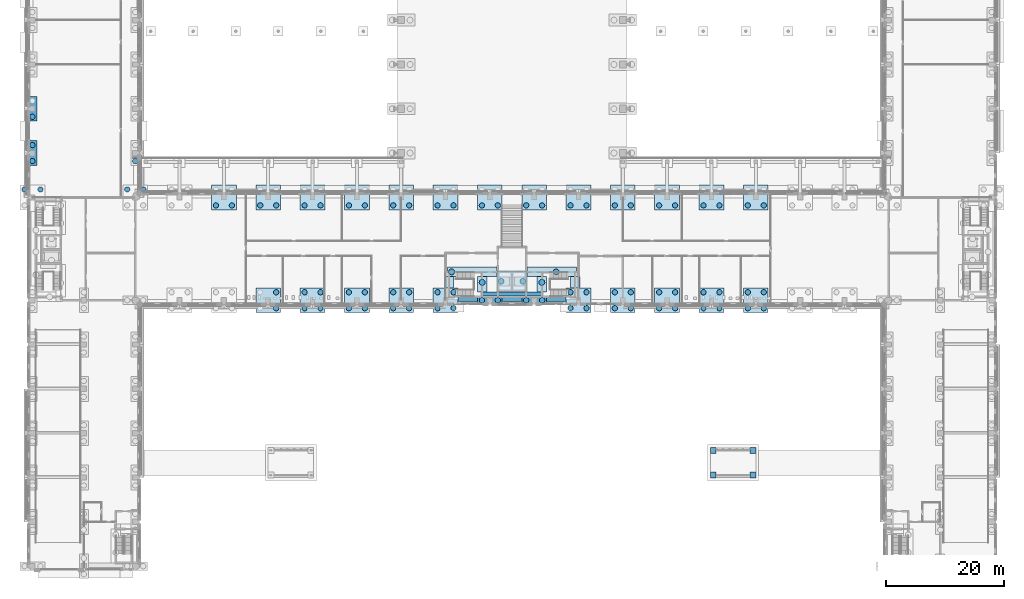
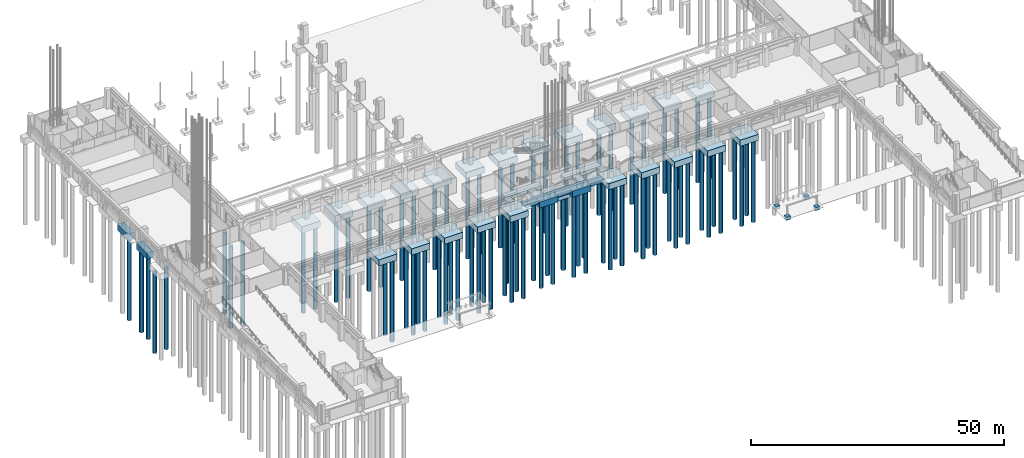
# One storey, part 2 of 99: 82 piles, 42 footings.
"""IFC4 building model written with IfcOpenShell, lengths in metres."""

from ifc_helpers import new_model, si_unit, direction, frame, origin, origin_2d, place, context, subcontext, project, spatial, polyline, circle, outline, extrude, material, layer, layer_set, material_profile, profile_set, type_object, element, save


model = new_model("IFC4")

# Units and contexts
model_context = context("Model", 3, precision=1e-05, world=origin(), true_north=direction((0.0, 1.0)))
body_context = subcontext(model_context, "Body", "Model", "MODEL_VIEW")
ifc_project = project(units=[si_unit("LENGTHUNIT", "METRE"), si_unit("AREAUNIT", "SQUARE_METRE"), si_unit("VOLUMEUNIT", "CUBIC_METRE"), si_unit("PLANEANGLEUNIT", "RADIAN"), si_unit("MASSUNIT", "GRAM", prefix="KILO")], contexts=[model_context])

# Site, building, storey
site_placement = place(None, origin())
site = spatial("IfcSite", under=ifc_project, at=site_placement, CompositionType="ELEMENT")
building_placement = place(site_placement, origin())
building = spatial("IfcBuilding", under=site, at=building_placement, Name="Cour d'Honneur Mobility Palace", CompositionType="ELEMENT")
storey_placement = place(building_placement, origin())
storey = spatial("IfcBuildingStorey", under=building, at=storey_placement, Name="L00", CompositionType="ELEMENT", Elevation=0.0)

# Piles
ifc_material_1 = material(Name="Concrete C40", Category="concrete")
ifc_material_profile_1 = material_profile(ifc_material_1, circle(Radius=0.5, at=origin_2d()), Name="Bored pile D1000")
ifc_profile_set_1 = profile_set([ifc_material_profile_1], Name="Concrete C40")
pile_type_1 = type_object("IfcPileType", Name="Bored pile D1000", PredefinedType="BORED", material=ifc_profile_set_1)
for number, where, z_axis, x_axis, name in (
    (1, (79.324951171875, 48.199951171875, -3.300048828125), (0.0, 0.0, -1.0), (1.0, 0.0, 0.0), "Bored pile CC.L.1"),
    (2, (82.97509765625, 48.199951171875, -3.300048828125), (0.0, 0.0, -1.0), (1.0, 0.0, 0.0), "Bored pile CC.L.2"),
):
    element("IfcPile", number, at=place(storey_placement, frame(where, z_axis=z_axis, x_axis=x_axis)), inside=storey, type_object=pile_type_1, Name=name, PredefinedType="BORED", context=body_context, shape_type="SweptSolid", body=[
        extrude(circle(Radius=0.5, at=origin_2d()), origin(), (0.0, 0.0, 1.0), 18.199951171875),
    ])
for number, where, z_axis, x_axis, name in (
    (3, (76.10009765625, 48.02490234375, -1.050048828125), (0.0, 0.0, -1.0), (1.0, 0.0, 0.0), "Bored pile S021.1"),
    (4, (86.199951171875, 48.02490234375, -1.050048828125), (0.0, 0.0, -1.0), (1.0, 0.0, 0.0), "Bored pile S022.1"),
    (5, (70.925048828125, 49.800048828125, -1.050048828125), (0.0, 0.0, -1.0), (1.0, 0.0, 0.0), "Bored pile S027.1"),
    (6, (88.625, 49.800048828125, -1.050048828125), (0.0, 0.0, -1.0), (1.0, 0.0, 0.0), "Bored pile S028.1"),
):
    element("IfcPile", number, at=place(storey_placement, frame(where, z_axis=z_axis, x_axis=x_axis)), inside=storey, type_object=pile_type_1, Name=name, PredefinedType="BORED", context=body_context, shape_type="SweptSolid", body=[
        extrude(circle(Radius=0.5, at=origin_2d()), origin(), (0.0, 0.0, 1.0), 20.449951171875),
    ])
ifc_material_2 = material(Name="Concrete C40", Category="concrete")
ifc_material_profile_2 = material_profile(ifc_material_2, circle(Radius=0.449951171875, at=origin_2d()), Name="Bored pile D900")
ifc_profile_set_2 = profile_set([ifc_material_profile_2], Name="Concrete C40")
pile_type_2 = type_object("IfcPileType", Name="Bored pile D900", PredefinedType="BORED", material=ifc_profile_set_2)
for number, where, z_axis, x_axis, name in (
    (7, (41.25, 43.64990234375, -1.75), (0.0, 0.0, -1.0), (1.0, 0.0, 0.0), "Bored pile L00.5/G.2"),
    (8, (41.25, 46.35009765625, -1.75), (0.0, 0.0, -1.0), (1.0, 0.0, 0.0), "Bored pile L00.5/G.4"),
    (9, (46.050048828125, 43.64990234375, -1.75), (0.0, 0.0, -1.0), (1.0, 0.0, 0.0), "Bored pile L00.6/G.1"),
    (10, (48.75, 43.64990234375, -1.75), (0.0, 0.0, -1.0), (1.0, 0.0, 0.0), "Bored pile L00.6/G.2"),
    (11, (46.050048828125, 46.35009765625, -1.75), (0.0, 0.0, -1.0), (1.0, 0.0, 0.0), "Bored pile L00.6/G.3"),
    (12, (48.75, 46.35009765625, -1.75), (0.0, 0.0, -1.0), (1.0, 0.0, 0.0), "Bored pile L00.6/G.4"),
    (13, (53.550048828125, 43.64990234375, -1.75), (0.0, 0.0, -1.0), (1.0, 0.0, 0.0), "Bored pile L00.7/G.1"),
    (14, (56.25, 43.64990234375, -1.75), (0.0, 0.0, -1.0), (1.0, 0.0, 0.0), "Bored pile L00.7/G.2"),
    (15, (53.550048828125, 46.35009765625, -1.75), (0.0, 0.0, -1.0), (1.0, 0.0, 0.0), "Bored pile L00.7/G.3"),
    (16, (56.25, 46.35009765625, -1.75), (0.0, 0.0, -1.0), (1.0, 0.0, 0.0), "Bored pile L00.7/G.4"),
    (17, (61.050048828125, 43.64990234375, -1.75), (0.0, 0.0, -1.0), (1.0, 0.0, 0.0), "Bored pile L00.8/G.1"),
    (18, (63.75, 43.64990234375, -1.75), (0.0, 0.0, -1.0), (1.0, 0.0, 0.0), "Bored pile L00.8/G.2"),
    (19, (61.050048828125, 46.35009765625, -1.75), (0.0, 0.0, -1.0), (1.0, 0.0, 0.0), "Bored pile L00.8/G.3"),
    (20, (63.75, 46.35009765625, -1.75), (0.0, 0.0, -1.0), (1.0, 0.0, 0.0), "Bored pile L00.8/G.4"),
    (21, (68.550048828125, 43.64990234375, -1.75), (0.0, 0.0, -1.0), (1.0, 0.0, 0.0), "Bored pile L00.9/G.1"),
    (22, (71.25, 43.64990234375, -1.75), (0.0, 0.0, -1.0), (1.0, 0.0, 0.0), "Bored pile L00.9/G.2"),
    (23, (68.550048828125, 46.35009765625, -1.75), (0.0, 0.0, -1.0), (1.0, 0.0, 0.0), "Bored pile L00.9/G.3"),
    (24, (71.25, 46.35009765625, -1.75), (0.0, 0.0, -1.0), (1.0, 0.0, 0.0), "Bored pile L00.9/G.4"),
    (25, (76.050048828125, 45.0, -1.75), (0.0, 0.0, -1.0), (1.0, 0.0, 0.0), "Bored pile L00.10/G.1"),
    (26, (78.75, 45.0, -1.75), (0.0, 0.0, -1.0), (1.0, 0.0, 0.0), "Bored pile L00.10/G.2"),
    (27, (83.550048828125, 45.0, -1.75), (0.0, 0.0, -1.0), (1.0, 0.0, 0.0), "Bored pile L00.11/G.1"),
    (28, (86.25, 45.0, -1.75), (0.0, 0.0, -1.0), (1.0, 0.0, 0.0), "Bored pile L00.11/G.2"),
    (29, (91.050048828125, 43.64990234375, -1.75), (0.0, 0.0, -1.0), (1.0, 0.0, 0.0), "Bored pile L00.12/G.1"),
    (30, (93.75, 43.64990234375, -1.75), (0.0, 0.0, -1.0), (1.0, 0.0, 0.0), "Bored pile L00.12/G.2"),
    (31, (91.050048828125, 46.35009765625, -1.75), (0.0, 0.0, -1.0), (1.0, 0.0, 0.0), "Bored pile L00.12/G.3"),
    (32, (93.75, 46.35009765625, -1.75), (0.0, 0.0, -1.0), (1.0, 0.0, 0.0), "Bored pile L00.12/G.4"),
    (33, (98.550048828125, 43.64990234375, -1.75), (0.0, 0.0, -1.0), (1.0, 0.0, 0.0), "Bored pile L00.13/G.1"),
    (34, (101.25, 43.64990234375, -1.75), (0.0, 0.0, -1.0), (1.0, 0.0, 0.0), "Bored pile L00.13/G.2"),
    (35, (98.550048828125, 46.35009765625, -1.75), (0.0, 0.0, -1.0), (1.0, 0.0, 0.0), "Bored pile L00.13/G.3"),
    (36, (101.25, 46.35009765625, -1.75), (0.0, 0.0, -1.0), (1.0, 0.0, 0.0), "Bored pile L00.13/G.4"),
    (37, (106.050048828125, 43.64990234375, -1.75), (0.0, 0.0, -1.0), (1.0, 0.0, 0.0), "Bored pile L00.14/G.1"),
    (38, (108.75, 43.64990234375, -1.75), (0.0, 0.0, -1.0), (1.0, 0.0, 0.0), "Bored pile L00.14/G.2"),
    (39, (106.050048828125, 46.35009765625, -1.75), (0.0, 0.0, -1.0), (1.0, 0.0, 0.0), "Bored pile L00.14/G.3"),
    (40, (108.75, 46.35009765625, -1.75), (0.0, 0.0, -1.0), (1.0, 0.0, 0.0), "Bored pile L00.14/G.4"),
    (41, (113.550048828125, 43.64990234375, -1.75), (0.0, 0.0, -1.0), (1.0, 0.0, 0.0), "Bored pile L00.15/G.1"),
    (42, (116.25, 43.64990234375, -1.75), (0.0, 0.0, -1.0), (1.0, 0.0, 0.0), "Bored pile L00.15/G.2"),
    (43, (113.550048828125, 46.35009765625, -1.75), (0.0, 0.0, -1.0), (1.0, 0.0, 0.0), "Bored pile L00.15/G.3"),
    (44, (116.25, 46.35009765625, -1.75), (0.0, 0.0, -1.0), (1.0, 0.0, 0.0), "Bored pile L00.15/G.4"),
    (45, (121.050048828125, 43.64990234375, -1.75), (0.0, 0.0, -1.0), (1.0, 0.0, 0.0), "Bored pile L00.16/G.1"),
    (46, (123.75, 43.64990234375, -1.75), (0.0, 0.0, -1.0), (1.0, 0.0, 0.0), "Bored pile L00.16/G.2"),
    (47, (121.050048828125, 46.35009765625, -1.75), (0.0, 0.0, -1.0), (1.0, 0.0, 0.0), "Bored pile L00.16/G.3"),
    (48, (123.75, 46.35009765625, -1.75), (0.0, 0.0, -1.0), (1.0, 0.0, 0.0), "Bored pile L00.16/G.4"),
    (49, (-1.35009765625, 63.75, -1.75), (0.0, 0.0, -1.0), (1.0, 0.0, 0.0), "Bored pile L00.1/H.3"),
    (50, (1.35009765625, 63.75, -1.75), (0.0, 0.0, -1.0), (1.0, 0.0, 0.0), "Bored pile L00.1/H.4"),
    (51, (16.050048828125, 63.75, -1.75), (0.0, 0.0, -1.0), (1.0, 0.0, 0.0), "Bored pile L00.2/H.3"),
    (52, (18.75, 63.75, -1.75), (0.0, 0.0, -1.0), (1.0, 0.0, 0.0), "Bored pile L00.2/H.4"),
    (53, (31.050048828125, 61.050048828125, -1.75), (0.0, 0.0, -1.0), (1.0, 0.0, 0.0), "Bored pile L00.4/H.1"),
    (54, (33.75, 61.050048828125, -1.75), (0.0, 0.0, -1.0), (1.0, 0.0, 0.0), "Bored pile L00.4/H.2"),
    (55, (38.550048828125, 61.050048828125, -1.75), (0.0, 0.0, -1.0), (1.0, 0.0, 0.0), "Bored pile L00.5/H.1"),
    (56, (41.25, 61.050048828125, -1.75), (0.0, 0.0, -1.0), (1.0, 0.0, 0.0), "Bored pile L00.5/H.2"),
    (57, (46.050048828125, 61.050048828125, -1.75), (0.0, 0.0, -1.0), (1.0, 0.0, 0.0), "Bored pile L00.6/H.1"),
    (58, (48.75, 61.050048828125, -1.75), (0.0, 0.0, -1.0), (1.0, 0.0, 0.0), "Bored pile L00.6/H.2"),
    (59, (53.550048828125, 61.050048828125, -1.75), (0.0, 0.0, -1.0), (1.0, 0.0, 0.0), "Bored pile L00.7/H.1"),
    (60, (56.25, 61.050048828125, -1.75), (0.0, 0.0, -1.0), (1.0, 0.0, 0.0), "Bored pile L00.7/H.2"),
    (61, (61.050048828125, 61.050048828125, -1.75), (0.0, 0.0, -1.0), (1.0, 0.0, 0.0), "Bored pile L00.8/H.1"),
    (62, (63.75, 61.050048828125, -1.75), (0.0, 0.0, -1.0), (1.0, 0.0, 0.0), "Bored pile L00.8/H.2"),
    (63, (68.550048828125, 61.050048828125, -1.75), (0.0, 0.0, -1.0), (1.0, 0.0, 0.0), "Bored pile L00.9/H.1"),
    (64, (71.25, 61.050048828125, -1.75), (0.0, 0.0, -1.0), (1.0, 0.0, 0.0), "Bored pile L00.9/H.2"),
    (65, (76.050048828125, 61.050048828125, -1.75), (0.0, 0.0, -1.0), (1.0, 0.0, 0.0), "Bored pile L00.10/H.1"),
    (66, (78.75, 61.050048828125, -1.75), (0.0, 0.0, -1.0), (1.0, 0.0, 0.0), "Bored pile L00.10/H.2"),
    (67, (83.550048828125, 61.050048828125, -1.75), (0.0, 0.0, -1.0), (1.0, 0.0, 0.0), "Bored pile L00.11/H.1"),
    (68, (86.25, 61.050048828125, -1.75), (0.0, 0.0, -1.0), (1.0, 0.0, 0.0), "Bored pile L00.11/H.2"),
    (69, (91.050048828125, 61.050048828125, -1.75), (0.0, 0.0, -1.0), (1.0, 0.0, 0.0), "Bored pile L00.12/H.1"),
    (70, (93.75, 61.050048828125, -1.75), (0.0, 0.0, -1.0), (1.0, 0.0, 0.0), "Bored pile L00.12/H.2"),
    (71, (98.550048828125, 61.050048828125, -1.75), (0.0, 0.0, -1.0), (1.0, 0.0, 0.0), "Bored pile L00.13/H.1"),
    (72, (101.25, 61.050048828125, -1.75), (0.0, 0.0, -1.0), (1.0, 0.0, 0.0), "Bored pile L00.13/H.2"),
    (73, (106.050048828125, 61.050048828125, -1.75), (0.0, 0.0, -1.0), (1.0, 0.0, 0.0), "Bored pile L00.14/H.1"),
    (74, (108.75, 61.050048828125, -1.75), (0.0, 0.0, -1.0), (1.0, 0.0, 0.0), "Bored pile L00.14/H.2"),
    (75, (113.550048828125, 61.050048828125, -1.75), (0.0, 0.0, -1.0), (1.0, 0.0, 0.0), "Bored pile L00.15/H.1"),
    (76, (116.25, 61.050048828125, -1.75), (0.0, 0.0, -1.0), (1.0, 0.0, 0.0), "Bored pile L00.15/H.2"),
    (77, (121.050048828125, 61.050048828125, -1.75), (0.0, 0.0, -1.0), (1.0, 0.0, 0.0), "Bored pile L00.16/H.1"),
    (78, (123.75, 61.050048828125, -1.75), (0.0, 0.0, -1.0), (1.0, 0.0, 0.0), "Bored pile L00.16/H.2"),
    (79, (0.0, 68.550048828125, -1.75), (0.0, 0.0, -1.0), (1.0, 0.0, 0.0), "Bored pile L00.1/J.1"),
    (80, (0.0, 71.25, -1.75), (0.0, 0.0, -1.0), (1.0, 0.0, 0.0), "Bored pile L00.1/J.2"),
    (81, (17.39990234375, 68.550048828125, -1.75), (0.0, 0.0, -1.0), (1.0, 0.0, 0.0), "Bored pile L00.2/J.1"),
    (82, (0.0, 76.050048828125, -1.75), (0.0, 0.0, -1.0), (1.0, 0.0, 0.0), "Bored pile L00.1/K.1"),
):
    element("IfcPile", number, at=place(storey_placement, frame(where, z_axis=z_axis, x_axis=x_axis)), inside=storey, type_object=pile_type_2, Name=name, PredefinedType="BORED", context=body_context, shape_type="SweptSolid", body=[
        extrude(circle(Radius=0.449951171875, at=origin_2d()), origin(), (0.0, 0.0, 1.0), 19.75),
    ])

# Footings
ifc_material_3 = material(Name="Concrete C40", Category="concrete")
ifc_layer_1 = layer(ifc_material_3, 1.5)
ifc_layer_set_1 = layer_set([ifc_layer_1], Name="Concrete C40")
footing_type_1 = type_object("IfcFootingType", Name="Pile cap PC2 4200x1500", PredefinedType="PILE_CAP", material=ifc_layer_set_1)
footing_1_placement = place(storey_placement, frame((0.0, 0.0, -1.75)))
element("IfcFooting", 83, at=footing_1_placement, inside=storey, type_object=footing_type_1, Name="Pile cap PC2-10/G", PredefinedType="PILE_CAP", context=body_context, shape_type="SweptSolid", body=[
    extrude(outline(polyline([(75.300048828125, 44.25), (79.5, 44.25), (79.5, 45.75), (75.300048828125, 45.75), (75.300048828125, 44.25)])), origin(), (0.0, 0.0, 1.0), 1.5),
])
footing_2_placement = place(storey_placement, frame((0.0, 0.0, -1.75)))
element("IfcFooting", 84, at=footing_2_placement, inside=storey, type_object=footing_type_1, Name="Pile cap PC2-11/G", PredefinedType="PILE_CAP", context=body_context, shape_type="SweptSolid", body=[
    extrude(outline(polyline([(82.800048828125, 44.25), (87.0, 44.25), (87.0, 45.75), (82.800048828125, 45.75), (82.800048828125, 44.25)])), origin(), (0.0, 0.0, 1.0), 1.5),
])
footing_3_placement = place(storey_placement, frame((0.0, 0.0, -1.75)))
element("IfcFooting", 85, at=footing_3_placement, inside=storey, type_object=footing_type_1, Name="Pile cap PC2-1/J", PredefinedType="PILE_CAP", context=body_context, shape_type="SweptSolid", body=[
    extrude(outline(polyline([(-0.75, 67.800048828125), (0.75, 67.800048828125), (0.75, 72.0), (-0.75, 72.0), (-0.75, 67.800048828125)])), origin(), (0.0, 0.0, 1.0), 1.5),
])
footing_4_placement = place(storey_placement, frame((0.0, 0.0, -1.75)))
element("IfcFooting", 86, at=footing_4_placement, inside=storey, type_object=footing_type_1, Name="Pile cap PC2-1/K", PredefinedType="PILE_CAP", context=body_context, shape_type="SweptSolid", body=[
    extrude(outline(polyline([(-0.75, 75.300048828125), (0.75, 75.300048828125), (0.75, 79.5), (-0.75, 79.5), (-0.75, 75.300048828125)])), origin(), (0.0, 0.0, 1.0), 1.5),
])
ifc_material_4 = material(Name="Concrete C40", Category="concrete")
ifc_layer_2 = layer(ifc_material_4, 1.5)
ifc_layer_set_2 = layer_set([ifc_layer_2], Name="Concrete C40")
footing_type_2 = type_object("IfcFootingType", Name="Pile cap PC4 4200x4200", PredefinedType="PILE_CAP", material=ifc_layer_set_2)
footing_5_placement = place(storey_placement, frame((0.0, 0.0, -1.75)))
element("IfcFooting", 87, at=footing_5_placement, inside=storey, type_object=footing_type_2, Name="Pile cap PC4-5/G", PredefinedType="PILE_CAP", context=body_context, shape_type="SweptSolid", body=[
    extrude(outline(polyline([(37.800048828125, 42.89990234375), (42.0, 42.89990234375), (42.0, 47.10009765625), (37.800048828125, 47.10009765625), (37.800048828125, 42.89990234375)])), origin(), (0.0, 0.0, 1.0), 1.5),
])
footing_6_placement = place(storey_placement, frame((0.0, 0.0, -1.75)))
element("IfcFooting", 88, at=footing_6_placement, inside=storey, type_object=footing_type_2, Name="Pile cap PC4-6/G", PredefinedType="PILE_CAP", context=body_context, shape_type="SweptSolid", body=[
    extrude(outline(polyline([(45.300048828125, 42.89990234375), (49.5, 42.89990234375), (49.5, 47.10009765625), (45.300048828125, 47.10009765625), (45.300048828125, 42.89990234375)])), origin(), (0.0, 0.0, 1.0), 1.5),
])
footing_7_placement = place(storey_placement, frame((0.0, 0.0, -1.75)))
element("IfcFooting", 89, at=footing_7_placement, inside=storey, type_object=footing_type_2, Name="Pile cap PC4-7/G", PredefinedType="PILE_CAP", context=body_context, shape_type="SweptSolid", body=[
    extrude(outline(polyline([(52.800048828125, 42.89990234375), (57.0, 42.89990234375), (57.0, 47.10009765625), (52.800048828125, 47.10009765625), (52.800048828125, 42.89990234375)])), origin(), (0.0, 0.0, 1.0), 1.5),
])
footing_8_placement = place(storey_placement, frame((0.0, 0.0, -1.75)))
element("IfcFooting", 90, at=footing_8_placement, inside=storey, type_object=footing_type_2, Name="Pile cap PC4-8/G", PredefinedType="PILE_CAP", context=body_context, shape_type="SweptSolid", body=[
    extrude(outline(polyline([(60.300048828125, 42.89990234375), (64.5, 42.89990234375), (64.5, 47.10009765625), (60.300048828125, 47.10009765625), (60.300048828125, 42.89990234375)])), origin(), (0.0, 0.0, 1.0), 1.5),
])
footing_9_placement = place(storey_placement, frame((0.0, 0.0, -1.75)))
element("IfcFooting", 91, at=footing_9_placement, inside=storey, type_object=footing_type_2, Name="Pile cap PC4-9/G", PredefinedType="PILE_CAP", context=body_context, shape_type="SweptSolid", body=[
    extrude(outline(polyline([(67.800048828125, 42.89990234375), (72.0, 42.89990234375), (72.0, 47.10009765625), (67.800048828125, 47.10009765625), (67.800048828125, 42.89990234375)])), origin(), (0.0, 0.0, 1.0), 1.5),
])
footing_10_placement = place(storey_placement, frame((0.0, 0.0, -1.75)))
element("IfcFooting", 92, at=footing_10_placement, inside=storey, type_object=footing_type_2, Name="Pile cap PC4-12/G", PredefinedType="PILE_CAP", context=body_context, shape_type="SweptSolid", body=[
    extrude(outline(polyline([(90.300048828125, 42.89990234375), (94.5, 42.89990234375), (94.5, 47.10009765625), (90.300048828125, 47.10009765625), (90.300048828125, 42.89990234375)])), origin(), (0.0, 0.0, 1.0), 1.5),
])
footing_11_placement = place(storey_placement, frame((0.0, 0.0, -1.75)))
element("IfcFooting", 93, at=footing_11_placement, inside=storey, type_object=footing_type_2, Name="Pile cap PC4-13/G", PredefinedType="PILE_CAP", context=body_context, shape_type="SweptSolid", body=[
    extrude(outline(polyline([(97.800048828125, 42.89990234375), (102.0, 42.89990234375), (102.0, 47.10009765625), (97.800048828125, 47.10009765625), (97.800048828125, 42.89990234375)])), origin(), (0.0, 0.0, 1.0), 1.5),
])
footing_12_placement = place(storey_placement, frame((0.0, 0.0, -1.75)))
element("IfcFooting", 94, at=footing_12_placement, inside=storey, type_object=footing_type_2, Name="Pile cap PC4-14/G", PredefinedType="PILE_CAP", context=body_context, shape_type="SweptSolid", body=[
    extrude(outline(polyline([(105.300048828125, 42.89990234375), (109.5, 42.89990234375), (109.5, 47.10009765625), (105.300048828125, 47.10009765625), (105.300048828125, 42.89990234375)])), origin(), (0.0, 0.0, 1.0), 1.5),
])
footing_13_placement = place(storey_placement, frame((0.0, 0.0, -1.75)))
element("IfcFooting", 95, at=footing_13_placement, inside=storey, type_object=footing_type_2, Name="Pile cap PC4-15/G", PredefinedType="PILE_CAP", context=body_context, shape_type="SweptSolid", body=[
    extrude(outline(polyline([(112.800048828125, 42.89990234375), (117.0, 42.89990234375), (117.0, 47.10009765625), (112.800048828125, 47.10009765625), (112.800048828125, 42.89990234375)])), origin(), (0.0, 0.0, 1.0), 1.5),
])
footing_14_placement = place(storey_placement, frame((0.0, 0.0, -1.75)))
element("IfcFooting", 96, at=footing_14_placement, inside=storey, type_object=footing_type_2, Name="Pile cap PC4-16/G", PredefinedType="PILE_CAP", context=body_context, shape_type="SweptSolid", body=[
    extrude(outline(polyline([(120.300048828125, 42.89990234375), (124.5, 42.89990234375), (124.5, 47.10009765625), (120.300048828125, 47.10009765625), (120.300048828125, 42.89990234375)])), origin(), (0.0, 0.0, 1.0), 1.5),
])
footing_15_placement = place(storey_placement, frame((0.0, 0.0, -1.75)))
element("IfcFooting", 97, at=footing_15_placement, inside=storey, type_object=footing_type_2, Name="Pile cap PC4-4/H", PredefinedType="PILE_CAP", context=body_context, shape_type="SweptSolid", body=[
    extrude(outline(polyline([(30.300048828125, 60.300048828125), (34.5, 60.300048828125), (34.5, 64.5), (30.300048828125, 64.5), (30.300048828125, 60.300048828125)])), origin(), (0.0, 0.0, 1.0), 1.5),
])
footing_16_placement = place(storey_placement, frame((0.0, 0.0, -1.75)))
element("IfcFooting", 98, at=footing_16_placement, inside=storey, type_object=footing_type_2, Name="Pile cap PC4-5/H", PredefinedType="PILE_CAP", context=body_context, shape_type="SweptSolid", body=[
    extrude(outline(polyline([(37.800048828125, 60.300048828125), (42.0, 60.300048828125), (42.0, 64.5), (37.800048828125, 64.5), (37.800048828125, 60.300048828125)])), origin(), (0.0, 0.0, 1.0), 1.5),
])
footing_17_placement = place(storey_placement, frame((0.0, 0.0, -1.75)))
element("IfcFooting", 99, at=footing_17_placement, inside=storey, type_object=footing_type_2, Name="Pile cap PC4-6/H", PredefinedType="PILE_CAP", context=body_context, shape_type="SweptSolid", body=[
    extrude(outline(polyline([(45.300048828125, 60.300048828125), (49.5, 60.300048828125), (49.5, 64.5), (45.300048828125, 64.5), (45.300048828125, 60.300048828125)])), origin(), (0.0, 0.0, 1.0), 1.5),
])
footing_18_placement = place(storey_placement, frame((0.0, 0.0, -1.75)))
element("IfcFooting", 100, at=footing_18_placement, inside=storey, type_object=footing_type_2, Name="Pile cap PC4-7/H", PredefinedType="PILE_CAP", context=body_context, shape_type="SweptSolid", body=[
    extrude(outline(polyline([(52.800048828125, 60.300048828125), (57.0, 60.300048828125), (57.0, 64.5), (52.800048828125, 64.5), (52.800048828125, 60.300048828125)])), origin(), (0.0, 0.0, 1.0), 1.5),
])
footing_19_placement = place(storey_placement, frame((0.0, 0.0, -1.75)))
element("IfcFooting", 101, at=footing_19_placement, inside=storey, type_object=footing_type_2, Name="Pile cap PC4-8/H", PredefinedType="PILE_CAP", context=body_context, shape_type="SweptSolid", body=[
    extrude(outline(polyline([(60.300048828125, 60.300048828125), (64.5, 60.300048828125), (64.5, 64.5), (60.300048828125, 64.5), (60.300048828125, 60.300048828125)])), origin(), (0.0, 0.0, 1.0), 1.5),
])
footing_20_placement = place(storey_placement, frame((0.0, 0.0, -1.75)))
element("IfcFooting", 102, at=footing_20_placement, inside=storey, type_object=footing_type_2, Name="Pile cap PC4-9/H", PredefinedType="PILE_CAP", context=body_context, shape_type="SweptSolid", body=[
    extrude(outline(polyline([(67.800048828125, 60.300048828125), (72.0, 60.300048828125), (72.0, 64.5), (67.800048828125, 64.5), (67.800048828125, 60.300048828125)])), origin(), (0.0, 0.0, 1.0), 1.5),
])
footing_21_placement = place(storey_placement, frame((0.0, 0.0, -1.75)))
element("IfcFooting", 103, at=footing_21_placement, inside=storey, type_object=footing_type_2, Name="Pile cap PC4-10/H", PredefinedType="PILE_CAP", context=body_context, shape_type="SweptSolid", body=[
    extrude(outline(polyline([(75.300048828125, 60.300048828125), (79.5, 60.300048828125), (79.5, 64.5), (75.300048828125, 64.5), (75.300048828125, 60.300048828125)])), origin(), (0.0, 0.0, 1.0), 1.5),
])
footing_22_placement = place(storey_placement, frame((0.0, 0.0, -1.75)))
element("IfcFooting", 104, at=footing_22_placement, inside=storey, type_object=footing_type_2, Name="Pile cap PC4-11/H", PredefinedType="PILE_CAP", context=body_context, shape_type="SweptSolid", body=[
    extrude(outline(polyline([(82.800048828125, 60.300048828125), (87.0, 60.300048828125), (87.0, 64.5), (82.800048828125, 64.5), (82.800048828125, 60.300048828125)])), origin(), (0.0, 0.0, 1.0), 1.5),
])
footing_23_placement = place(storey_placement, frame((0.0, 0.0, -1.75)))
element("IfcFooting", 105, at=footing_23_placement, inside=storey, type_object=footing_type_2, Name="Pile cap PC4-12/H", PredefinedType="PILE_CAP", context=body_context, shape_type="SweptSolid", body=[
    extrude(outline(polyline([(90.300048828125, 60.300048828125), (94.5, 60.300048828125), (94.5, 64.5), (90.300048828125, 64.5), (90.300048828125, 60.300048828125)])), origin(), (0.0, 0.0, 1.0), 1.5),
])
footing_24_placement = place(storey_placement, frame((0.0, 0.0, -1.75)))
element("IfcFooting", 106, at=footing_24_placement, inside=storey, type_object=footing_type_2, Name="Pile cap PC4-13/H", PredefinedType="PILE_CAP", context=body_context, shape_type="SweptSolid", body=[
    extrude(outline(polyline([(97.800048828125, 60.300048828125), (102.0, 60.300048828125), (102.0, 64.5), (97.800048828125, 64.5), (97.800048828125, 60.300048828125)])), origin(), (0.0, 0.0, 1.0), 1.5),
])
footing_25_placement = place(storey_placement, frame((0.0, 0.0, -1.75)))
element("IfcFooting", 107, at=footing_25_placement, inside=storey, type_object=footing_type_2, Name="Pile cap PC4-14/H", PredefinedType="PILE_CAP", context=body_context, shape_type="SweptSolid", body=[
    extrude(outline(polyline([(105.300048828125, 60.300048828125), (109.5, 60.300048828125), (109.5, 64.5), (105.300048828125, 64.5), (105.300048828125, 60.300048828125)])), origin(), (0.0, 0.0, 1.0), 1.5),
])
footing_26_placement = place(storey_placement, frame((0.0, 0.0, -1.75)))
element("IfcFooting", 108, at=footing_26_placement, inside=storey, type_object=footing_type_2, Name="Pile cap PC4-15/H", PredefinedType="PILE_CAP", context=body_context, shape_type="SweptSolid", body=[
    extrude(outline(polyline([(112.800048828125, 60.300048828125), (117.0, 60.300048828125), (117.0, 64.5), (112.800048828125, 64.5), (112.800048828125, 60.300048828125)])), origin(), (0.0, 0.0, 1.0), 1.5),
])
footing_27_placement = place(storey_placement, frame((0.0, 0.0, -1.75)))
element("IfcFooting", 109, at=footing_27_placement, inside=storey, type_object=footing_type_2, Name="Pile cap PC4-16/H", PredefinedType="PILE_CAP", context=body_context, shape_type="SweptSolid", body=[
    extrude(outline(polyline([(120.300048828125, 60.300048828125), (124.5, 60.300048828125), (124.5, 64.5), (120.300048828125, 64.5), (120.300048828125, 60.300048828125)])), origin(), (0.0, 0.0, 1.0), 1.5),
])
ifc_material_5 = material(Name="Concrete C40", Category="concrete")
ifc_layer_3 = layer(ifc_material_5, 1.5)
ifc_layer_set_3 = layer_set([ifc_layer_3], Name="Concrete C40")
footing_type_3 = type_object("IfcFootingType", Name="Pit cap 5050x3450", PredefinedType="PILE_CAP", material=ifc_layer_set_3)
footing_28_placement = place(storey_placement, frame((0.0, 0.0, -3.300048828125)))
element("IfcFooting", 110, at=footing_28_placement, inside=storey, type_object=footing_type_3, Name="Pile cap PCL-CC.L", PredefinedType="PILE_CAP", context=body_context, shape_type="SweptSolid", body=[
    extrude(outline(polyline([(78.625, 46.47509765625), (83.675048828125, 46.47509765625), (83.675048828125, 49.925048828125), (78.625, 49.925048828125), (78.625, 46.47509765625)])), origin(), (0.0, 0.0, 1.0), 1.5),
])
ifc_material_6 = material(Name="Concrete C40", Category="concrete")
ifc_layer_4 = layer(ifc_material_6, 0.699951171875)
ifc_layer_set_4 = layer_set([ifc_layer_4], Name="Concrete C40")
footing_type_4 = type_object("IfcFootingType", Name="Shelter footing 1000x1000", PredefinedType="STRIP_FOOTING", material=ifc_layer_set_4)
footing_29_placement = place(storey_placement, frame((0.0, 0.0, -0.699951171875)))
element("IfcFooting", 111, at=footing_29_placement, inside=storey, type_object=footing_type_4, Name="Shelter footing SMF-E1", PredefinedType="STRIP_FOOTING", context=body_context, shape_type="SweptSolid", body=[
    extrude(outline(polyline([(114.699951171875, 14.89990234375), (115.699951171875, 14.89990234375), (115.699951171875, 15.89990234375), (114.699951171875, 15.89990234375), (114.699951171875, 14.89990234375)])), origin(), (0.0, 0.0, 1.0), 0.699951171875),
])
footing_30_placement = place(storey_placement, frame((0.0, 0.0, -0.699951171875)))
element("IfcFooting", 112, at=footing_30_placement, inside=storey, type_object=footing_type_4, Name="Shelter footing SMF-E2", PredefinedType="STRIP_FOOTING", context=body_context, shape_type="SweptSolid", body=[
    extrude(outline(polyline([(114.699951171875, 19.10009765625), (115.699951171875, 19.10009765625), (115.699951171875, 20.10009765625), (114.699951171875, 20.10009765625), (114.699951171875, 19.10009765625)])), origin(), (0.0, 0.0, 1.0), 0.699951171875),
])
footing_31_placement = place(storey_placement, frame((0.0, 0.0, -0.699951171875)))
element("IfcFooting", 113, at=footing_31_placement, inside=storey, type_object=footing_type_4, Name="Shelter footing SMF-E3", PredefinedType="STRIP_FOOTING", context=body_context, shape_type="SweptSolid", body=[
    extrude(outline(polyline([(121.39990234375, 14.89990234375), (122.39990234375, 14.89990234375), (122.39990234375, 15.89990234375), (121.39990234375, 15.89990234375), (121.39990234375, 14.89990234375)])), origin(), (0.0, 0.0, 1.0), 0.699951171875),
])
footing_32_placement = place(storey_placement, frame((0.0, 0.0, -0.699951171875)))
element("IfcFooting", 114, at=footing_32_placement, inside=storey, type_object=footing_type_4, Name="Shelter footing SMF-E4", PredefinedType="STRIP_FOOTING", context=body_context, shape_type="SweptSolid", body=[
    extrude(outline(polyline([(121.39990234375, 19.10009765625), (122.39990234375, 19.10009765625), (122.39990234375, 20.10009765625), (121.39990234375, 20.10009765625), (121.39990234375, 19.10009765625)])), origin(), (0.0, 0.0, 1.0), 0.699951171875),
])
ifc_material_7 = material(Name="Concrete C40", Category="concrete")
ifc_layer_5 = layer(ifc_material_7, 0.800048828125)
ifc_layer_set_5 = layer_set([ifc_layer_5], Name="Concrete C40")
footing_type_5 = type_object("IfcFootingType", Name="Strip footing 1600x800", PredefinedType="STRIP_FOOTING", material=ifc_layer_set_5)
footing_33_placement = place(storey_placement, frame((0.0, 0.0, -1.050048828125)))
element("IfcFooting", 115, at=footing_33_placement, inside=storey, type_object=footing_type_5, Name="Strip footing SF-021", PredefinedType="STRIP_FOOTING", context=body_context, shape_type="SweptSolid", body=[
    extrude(outline(polyline([(75.300048828125, 46.375), (76.89990234375, 46.375), (76.89990234375, 49.0), (75.300048828125, 49.0), (75.300048828125, 46.375)])), origin(), (0.0, 0.0, 1.0), 0.800048828125),
])
footing_34_placement = place(storey_placement, frame((0.0, 0.0, -1.050048828125)))
element("IfcFooting", 116, at=footing_34_placement, inside=storey, type_object=footing_type_5, Name="Strip footing SF-022", PredefinedType="STRIP_FOOTING", context=body_context, shape_type="SweptSolid", body=[
    extrude(outline(polyline([(85.39990234375, 46.375), (87.0, 46.375), (87.0, 49.0), (85.39990234375, 49.0), (85.39990234375, 46.375)])), origin(), (0.0, 0.0, 1.0), 0.800048828125),
])
footing_35_placement = place(storey_placement, frame((0.0, 0.0, -1.050048828125)))
element("IfcFooting", 117, at=footing_35_placement, inside=storey, type_object=footing_type_5, Name="Strip footing SF-024", PredefinedType="STRIP_FOOTING", context=body_context, shape_type="SweptSolid", body=[
    extrude(outline(polyline([(69.675048828125, 47.10009765625), (71.27490234375, 47.10009765625), (71.27490234375, 49.0), (69.675048828125, 49.0), (69.675048828125, 47.10009765625)])), origin(), (0.0, 0.0, 1.0), 0.800048828125),
])
footing_36_placement = place(storey_placement, frame((0.0, 0.0, -1.050048828125)))
element("IfcFooting", 118, at=footing_36_placement, inside=storey, type_object=footing_type_5, Name="Strip footing SF-025", PredefinedType="STRIP_FOOTING", context=body_context, shape_type="SweptSolid", body=[
    extrude(outline(polyline([(91.02490234375, 47.10009765625), (92.625, 47.10009765625), (92.625, 49.0), (91.02490234375, 49.0), (91.02490234375, 47.10009765625)])), origin(), (0.0, 0.0, 1.0), 0.800048828125),
])
footing_37_placement = place(storey_placement, frame((0.0, 0.0, -1.050048828125)))
element("IfcFooting", 119, at=footing_37_placement, inside=storey, type_object=footing_type_5, Name="Strip footing SF-027", PredefinedType="STRIP_FOOTING", context=body_context, shape_type="SweptSolid", body=[
    extrude(outline(polyline([(70.22509765625, 49.0), (78.625, 49.0), (78.625, 50.60009765625), (70.22509765625, 50.60009765625), (70.22509765625, 49.0)])), origin(), (0.0, 0.0, 1.0), 0.800048828125),
])
footing_38_placement = place(storey_placement, frame((0.0, 0.0, -1.050048828125)))
element("IfcFooting", 120, at=footing_38_placement, inside=storey, type_object=footing_type_5, Name="Strip footing SF-028", PredefinedType="STRIP_FOOTING", context=body_context, shape_type="SweptSolid", body=[
    extrude(outline(polyline([(83.675048828125, 49.0), (92.074951171875, 49.0), (92.074951171875, 50.60009765625), (83.675048828125, 50.60009765625), (83.675048828125, 49.0)])), origin(), (0.0, 0.0, 1.0), 0.800048828125),
])
ifc_material_8 = material(Name="Concrete C40", Category="concrete")
ifc_layer_6 = layer(ifc_material_8, 0.800048828125)
ifc_layer_set_6 = layer_set([ifc_layer_6], Name="Concrete C40")
footing_type_6 = type_object("IfcFootingType", Name="Strip footing 625x800", PredefinedType="STRIP_FOOTING", material=ifc_layer_set_6)
footing_39_placement = place(storey_placement, frame((0.0, 0.0, -1.050048828125)))
element("IfcFooting", 121, at=footing_39_placement, inside=storey, type_object=footing_type_6, Name="Strip footing SF-020", PredefinedType="STRIP_FOOTING", context=body_context, shape_type="SweptSolid", body=[
    extrude(outline(polyline([(72.0, 45.75), (90.300048828125, 45.75), (90.300048828125, 46.375), (72.0, 46.375), (72.0, 45.75)])), origin(), (0.0, 0.0, 1.0), 0.800048828125),
])
ifc_material_9 = material(Name="Concrete C40", Category="concrete")
ifc_layer_7 = layer(ifc_material_9, 0.800048828125)
ifc_layer_set_7 = layer_set([ifc_layer_7], Name="Concrete C40")
footing_type_7 = type_object("IfcFootingType", Name="Strip footing 975x800", PredefinedType="STRIP_FOOTING", material=ifc_layer_set_7)
footing_40_placement = place(storey_placement, frame((0.0, 0.0, -1.050048828125)))
element("IfcFooting", 122, at=footing_40_placement, inside=storey, type_object=footing_type_7, Name="Strip footing SF-013", PredefinedType="STRIP_FOOTING", context=body_context, shape_type="SweptSolid", body=[
    extrude(outline(polyline([(72.0, 44.77490234375), (75.300048828125, 44.77490234375), (75.300048828125, 45.75), (72.0, 45.75), (72.0, 44.77490234375)])), origin(), (0.0, 0.0, 1.0), 0.800048828125),
])
footing_41_placement = place(storey_placement, frame((0.0, 0.0, -1.050048828125)))
element("IfcFooting", 123, at=footing_41_placement, inside=storey, type_object=footing_type_7, Name="Strip footing SF-014", PredefinedType="STRIP_FOOTING", context=body_context, shape_type="SweptSolid", body=[
    extrude(outline(polyline([(79.5, 44.77490234375), (82.800048828125, 44.77490234375), (82.800048828125, 45.75), (79.5, 45.75), (79.5, 44.77490234375)])), origin(), (0.0, 0.0, 1.0), 0.800048828125),
])
footing_42_placement = place(storey_placement, frame((0.0, 0.0, -1.050048828125)))
element("IfcFooting", 124, at=footing_42_placement, inside=storey, type_object=footing_type_7, Name="Strip footing SF-015", PredefinedType="STRIP_FOOTING", context=body_context, shape_type="SweptSolid", body=[
    extrude(outline(polyline([(87.0, 44.77490234375), (90.300048828125, 44.77490234375), (90.300048828125, 45.75), (87.0, 45.75), (87.0, 44.77490234375)])), origin(), (0.0, 0.0, 1.0), 0.800048828125),
])

save(model, "model.ifc")
